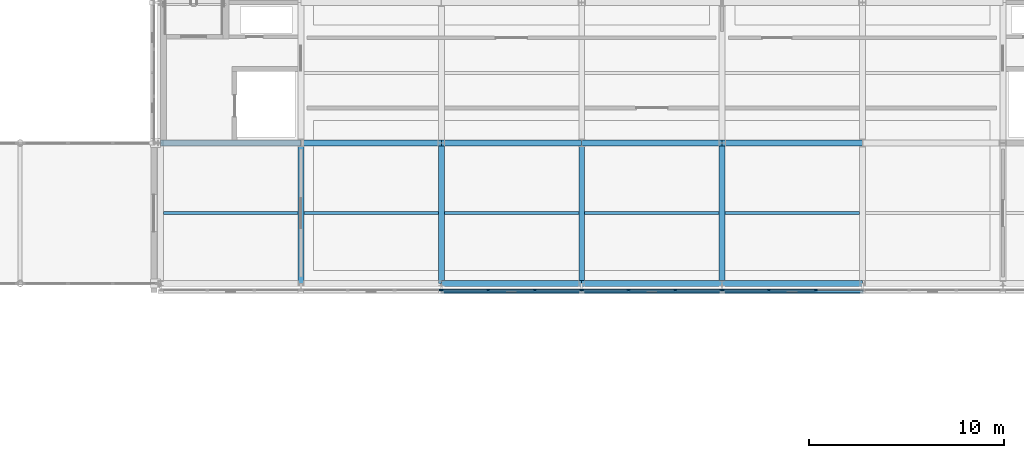
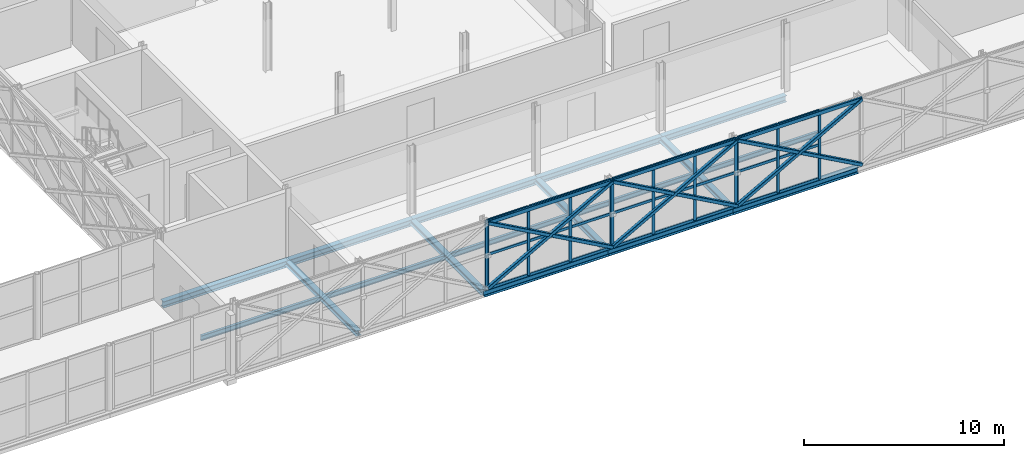
# One storey, part 53 of 103: 48 members, 17 beams, 4 elements without a shape of their own.
"""IFC4 building model written with IfcOpenShell, lengths in metres."""

from ifc_helpers import new_model, si_unit, direction, frame, origin, origin_2d, place, context, subcontext, project, spatial, rectangle, hollow_rectangle, i_section, extrude, material, material_profile, profile_set, type_object, element, aggregate, save


model = new_model("IFC4")

# Units and contexts
model_context = context("Model", 3, precision=1e-05, world=origin(), true_north=direction((0.0, 1.0)))
body_context = subcontext(model_context, "Body", "Model", "MODEL_VIEW")
ifc_project = project(units=[si_unit("LENGTHUNIT", "METRE"), si_unit("AREAUNIT", "SQUARE_METRE"), si_unit("VOLUMEUNIT", "CUBIC_METRE"), si_unit("PLANEANGLEUNIT", "RADIAN"), si_unit("MASSUNIT", "GRAM", prefix="KILO")], contexts=[model_context])

# Site, building, storey
site_placement = place(None, origin())
site = spatial("IfcSite", under=ifc_project, at=site_placement, CompositionType="ELEMENT")
building_placement = place(site_placement, origin())
building = spatial("IfcBuilding", under=site, at=building_placement, Name="Zlatovets Crest Museum", CompositionType="ELEMENT")
storey_placement = place(building_placement, frame((0.0, 0.0, 12.89990234375)))
storey = spatial("IfcBuildingStorey", under=building, at=storey_placement, Name="L03", CompositionType="ELEMENT", Elevation=12.89990234375)

# Beams
ifc_material_1 = material(Name="Structural steel S355J2", Category="steel")
ifc_material_profile_1 = material_profile(ifc_material_1, i_section(OverallWidth=0.300048828125, OverallDepth=0.389892578125, WebThickness=0.010986328125, FlangeThickness=0.01904296875, FilletRadius=0.027099609375, at=origin_2d()), Name="HEA 400")
ifc_profile_set_1 = profile_set([ifc_material_profile_1], Name="Structural steel S355J2")
beam_type_1 = type_object("IfcBeamType", Name="Beam_B-02", PredefinedType="BEAM", material=ifc_profile_set_1)
for number, where, z_axis, x_axis, name in (
    (1, (72.0, 86.39990234375, -0.434814453125), (1.0, 0.0, 0.0), (0.0, 1.0, 0.0), "V1 L03 Primary Girder B-02"),
    (2, (79.199951171875, 86.39990234375, -0.434814453125), (1.0, 0.0, 0.0), (0.0, 1.0, 0.0), "V1 L03 Primary Girder B-02"),
):
    element("IfcBeam", number, at=place(storey_placement, frame(where, z_axis=z_axis, x_axis=x_axis)), inside=storey, type_object=beam_type_1, Name=name, PredefinedType="BEAM", context=body_context, shape_type="SweptSolid", body=[
        extrude(i_section(OverallWidth=0.300048828125, OverallDepth=0.389892578125, WebThickness=0.010986328125, FlangeThickness=0.01904296875, FilletRadius=0.027099609375, at=origin_2d()), origin(), (0.0, 0.0, 1.0), 7.199951171875),
    ])
beam_1_placement = place(storey_placement, frame((86.39990234375, 86.39990234375, -0.434814453125), z_axis=(1.0, 0.0, 0.0), x_axis=(0.0, 1.0, 0.0)))
element("IfcBeam", 3, at=beam_1_placement, inside=storey, type_object=beam_type_1, Name="V1 L03 Primary Girder B-02", PredefinedType="BEAM", context=body_context, shape_type="SweptSolid", body=[
    extrude(i_section(OverallWidth=0.300048828125, OverallDepth=0.389892578125, WebThickness=0.010986328125, FlangeThickness=0.01904296875, FilletRadius=0.027099609375, at=origin_2d()), origin(), (0.0, 0.0, 1.0), 7.2001953125),
])
for number, where, z_axis, x_axis, name in (
    (4, (57.60009765625, 93.60009765625, -0.434814453125), (1.0, 0.0, 0.0), (0.0, 1.0, 0.0), "V1 L03 Primary Girder B-02"),
    (5, (64.800048828125, 93.60009765625, -0.434814453125), (1.0, 0.0, 0.0), (0.0, 1.0, 0.0), "V1 L03 Primary Girder B-02"),
    (6, (72.0, 93.60009765625, -0.434814453125), (1.0, 0.0, 0.0), (0.0, 1.0, 0.0), "V1 L03 Primary Girder B-02"),
    (7, (79.199951171875, 93.60009765625, -0.434814453125), (1.0, 0.0, 0.0), (0.0, 1.0, 0.0), "V1 L03 Primary Girder B-02"),
):
    element("IfcBeam", number, at=place(storey_placement, frame(where, z_axis=z_axis, x_axis=x_axis)), inside=storey, type_object=beam_type_1, Name=name, PredefinedType="BEAM", context=body_context, shape_type="SweptSolid", body=[
        extrude(i_section(OverallWidth=0.300048828125, OverallDepth=0.389892578125, WebThickness=0.010986328125, FlangeThickness=0.01904296875, FilletRadius=0.027099609375, at=origin_2d()), origin(), (0.0, 0.0, 1.0), 7.199951171875),
    ])
beam_2_placement = place(storey_placement, frame((86.39990234375, 93.60009765625, -0.434814453125), z_axis=(1.0, 0.0, 0.0), x_axis=(0.0, 1.0, 0.0)))
element("IfcBeam", 8, at=beam_2_placement, inside=storey, type_object=beam_type_1, Name="V1 L03 Primary Girder B-02", PredefinedType="BEAM", context=body_context, shape_type="SweptSolid", body=[
    extrude(i_section(OverallWidth=0.300048828125, OverallDepth=0.389892578125, WebThickness=0.010986328125, FlangeThickness=0.01904296875, FilletRadius=0.027099609375, at=origin_2d()), origin(), (0.0, 0.0, 1.0), 7.2001953125),
])
ifc_material_profile_2 = material_profile(ifc_material_1, i_section(OverallWidth=0.300048828125, OverallDepth=0.31005859375, WebThickness=0.009033203125, FlangeThickness=0.015380859375, FilletRadius=0.027099609375, at=origin_2d()), Name="HEA 320")
ifc_profile_set_2 = profile_set([ifc_material_profile_2], Name="Structural steel S355J2")
beam_type_2 = type_object("IfcBeamType", Name="Beam_B-04", PredefinedType="BEAM", material=ifc_profile_set_2)
for number, where, z_axis, x_axis, name in (
    (9, (64.800048828125, 86.39990234375, -0.39501953125), (0.0, 1.0, 0.0), (-1.0, 0.0, 0.0), "V1 L03 Grid Beam B-04"),
    (10, (72.0, 86.39990234375, -0.39501953125), (0.0, 1.0, 0.0), (-1.0, 0.0, 0.0), "V1 L03 Grid Beam B-04"),
    (11, (79.199951171875, 86.39990234375, -0.39501953125), (0.0, 1.0, 0.0), (-1.0, 0.0, 0.0), "V1 L03 Grid Beam B-04"),
    (12, (86.39990234375, 86.39990234375, -0.39501953125), (0.0, 1.0, 0.0), (-1.0, 0.0, 0.0), "V1 L03 Grid Beam B-04"),
):
    element("IfcBeam", number, at=place(storey_placement, frame(where, z_axis=z_axis, x_axis=x_axis)), inside=storey, type_object=beam_type_2, Name=name, PredefinedType="BEAM", context=body_context, shape_type="SweptSolid", body=[
        extrude(i_section(OverallWidth=0.300048828125, OverallDepth=0.31005859375, WebThickness=0.009033203125, FlangeThickness=0.015380859375, FilletRadius=0.027099609375, at=origin_2d()), origin(), (0.0, 0.0, 1.0), 7.2001953125),
    ])
ifc_material_profile_3 = material_profile(ifc_material_1, i_section(OverallWidth=0.14990234375, OverallDepth=0.300048828125, WebThickness=0.007080078125, FlangeThickness=0.0107421875, FilletRadius=0.014892578125, at=origin_2d()), Name="IPE 300")
ifc_profile_set_3 = profile_set([ifc_material_profile_3], Name="Structural steel S355J2")
beam_type_3 = type_object("IfcBeamType", Name="Beam_J-02", PredefinedType="JOIST", material=ifc_profile_set_3)
beam_3_placement = place(storey_placement, frame((57.75, 90.0, -0.389892578125), z_axis=(1.0, 0.0, 0.0), x_axis=(0.0, 1.0, 0.0)))
element("IfcBeam", 13, at=beam_3_placement, inside=storey, type_object=beam_type_3, Name="V1 L03 Composite Joist J-02", PredefinedType="JOIST", context=body_context, shape_type="SweptSolid", body=[
    extrude(i_section(OverallWidth=0.14990234375, OverallDepth=0.300048828125, WebThickness=0.007080078125, FlangeThickness=0.0107421875, FilletRadius=0.014892578125, at=origin_2d()), origin(), (0.0, 0.0, 1.0), 6.89990234375),
])
for number, where, z_axis, x_axis, name in (
    (14, (64.949951171875, 90.0, -0.389892578125), (1.0, 0.0, 0.0), (0.0, 1.0, 0.0), "V1 L03 Composite Joist J-02"),
    (15, (72.14990234375, 90.0, -0.389892578125), (1.0, 0.0, 0.0), (0.0, 1.0, 0.0), "V1 L03 Composite Joist J-02"),
):
    element("IfcBeam", number, at=place(storey_placement, frame(where, z_axis=z_axis, x_axis=x_axis)), inside=storey, type_object=beam_type_3, Name=name, PredefinedType="JOIST", context=body_context, shape_type="SweptSolid", body=[
        extrude(i_section(OverallWidth=0.14990234375, OverallDepth=0.300048828125, WebThickness=0.007080078125, FlangeThickness=0.0107421875, FilletRadius=0.014892578125, at=origin_2d()), origin(), (0.0, 0.0, 1.0), 6.900146484375),
    ])
for number, where, z_axis, x_axis, name in (
    (16, (79.35009765625, 90.0, -0.389892578125), (1.0, 0.0, 0.0), (0.0, 1.0, 0.0), "V1 L03 Composite Joist J-02"),
    (17, (86.550048828125, 90.0, -0.389892578125), (1.0, 0.0, 0.0), (0.0, 1.0, 0.0), "V1 L03 Composite Joist J-02"),
):
    element("IfcBeam", number, at=place(storey_placement, frame(where, z_axis=z_axis, x_axis=x_axis)), inside=storey, type_object=beam_type_3, Name=name, PredefinedType="JOIST", context=body_context, shape_type="SweptSolid", body=[
        extrude(i_section(OverallWidth=0.14990234375, OverallDepth=0.300048828125, WebThickness=0.007080078125, FlangeThickness=0.0107421875, FilletRadius=0.014892578125, at=origin_2d()), origin(), (0.0, 0.0, 1.0), 6.89990234375),
    ])

# Curtain wall, member
ifc_material_2 = material(Name="Bronze-anodised aluminium and low-E triple glass", Category="aluminium")
curtain_wall_type_1 = type_object("IfcCurtainWallType", Name="CW_CW-V1-L03-M1", PredefinedType="NOTDEFINED", material=ifc_material_2)
curtain_wall_1_placement = place(storey_placement, origin())
curtain_wall_1 = element("IfcCurtainWall", 18, at=curtain_wall_1_placement, inside=storey, type_object=curtain_wall_type_1, Name="V1 L03 Secession Foyer Clear Curtain Wall", PredefinedType="NOTDEFINED")
ifc_material_3 = material(Name="Bronze-anodised aluminium EN AW-6060", Category="aluminium")
ifc_material_profile_4 = material_profile(ifc_material_3, rectangle(XDim=0.080078125, YDim=0.159912109375, at=origin_2d()), Name="ALU 80x160")
ifc_profile_set_4 = profile_set([ifc_material_profile_4], Name="Bronze-anodised aluminium EN AW-6060")
member_type_1 = type_object("IfcMemberType", Name="CWMull_M1", PredefinedType="MULLION", material=ifc_profile_set_4)
member_1_placement = place(storey_placement, frame((71.969970703125, 86.06005859375, 0.0), z_axis=(0.0, 0.0, 1.0), x_axis=(0.0, 1.0, 0.0)))
member_1 = element("IfcMember", 19, at=member_1_placement, type_object=member_type_1, Name="CW-V1-L03-M1 mullion 4", PredefinedType="MULLION", context=body_context, shape_type="SweptSolid", body=[
    extrude(rectangle(XDim=0.080078125, YDim=0.159912109375, at=origin_2d()), origin(), (0.0, 0.0, 1.0), 4.2001953125),
])
aggregate(curtain_wall_1, [member_1])

# Curtain wall, members
curtain_wall_type_2 = type_object("IfcCurtainWallType", Name="CW_CW-V1-L03-M2", PredefinedType="NOTDEFINED", material=ifc_material_2)
curtain_wall_2_placement = place(storey_placement, origin())
curtain_wall_2 = element("IfcCurtainWall", 20, at=curtain_wall_2_placement, inside=storey, type_object=curtain_wall_type_2, Name="V1 L03 Secession Foyer Clear Curtain Wall", PredefinedType="NOTDEFINED")
member_2_placement = place(storey_placement, frame((72.030029296875, 86.06005859375, 0.0), z_axis=(0.0, 0.0, 1.0), x_axis=(0.0, 1.0, 0.0)))
member_2 = element("IfcMember", 21, at=member_2_placement, type_object=member_type_1, Name="CW-V1-L03-M2 mullion 1", PredefinedType="MULLION", context=body_context, shape_type="SweptSolid", body=[
    extrude(rectangle(XDim=0.080078125, YDim=0.159912109375, at=origin_2d()), origin(), (0.0, 0.0, 1.0), 4.2001953125),
])
member_3_placement = place(storey_placement, frame((74.39990234375, 86.06005859375, 0.0), z_axis=(0.0, 0.0, 1.0), x_axis=(0.0, 1.0, 0.0)))
member_3 = element("IfcMember", 22, at=member_3_placement, type_object=member_type_1, Name="CW-V1-L03-M2 mullion 2", PredefinedType="MULLION", context=body_context, shape_type="SweptSolid", body=[
    extrude(rectangle(XDim=0.080078125, YDim=0.159912109375, at=origin_2d()), origin(), (0.0, 0.0, 1.0), 4.2001953125),
])
member_4_placement = place(storey_placement, frame((76.800048828125, 86.06005859375, 0.0), z_axis=(0.0, 0.0, 1.0), x_axis=(0.0, 1.0, 0.0)))
member_4 = element("IfcMember", 23, at=member_4_placement, type_object=member_type_1, Name="CW-V1-L03-M2 mullion 3", PredefinedType="MULLION", context=body_context, shape_type="SweptSolid", body=[
    extrude(rectangle(XDim=0.080078125, YDim=0.159912109375, at=origin_2d()), origin(), (0.0, 0.0, 1.0), 4.2001953125),
])
member_5_placement = place(storey_placement, frame((79.169921875, 86.06005859375, 0.0), z_axis=(0.0, 0.0, 1.0), x_axis=(0.0, 1.0, 0.0)))
member_5 = element("IfcMember", 24, at=member_5_placement, type_object=member_type_1, Name="CW-V1-L03-M2 mullion 4", PredefinedType="MULLION", context=body_context, shape_type="SweptSolid", body=[
    extrude(rectangle(XDim=0.080078125, YDim=0.159912109375, at=origin_2d()), origin(), (0.0, 0.0, 1.0), 4.2001953125),
])

curtain_wall_type_3 = type_object("IfcCurtainWallType", Name="CW_CW-V1-L03-M3", PredefinedType="NOTDEFINED", material=ifc_material_2)
curtain_wall_3_placement = place(storey_placement, origin())
curtain_wall_3 = element("IfcCurtainWall", 25, at=curtain_wall_3_placement, inside=storey, type_object=curtain_wall_type_3, Name="V1 L03 Secession Foyer Clear Curtain Wall", PredefinedType="NOTDEFINED")
member_6_placement = place(storey_placement, frame((79.22998046875, 86.06005859375, 0.0), z_axis=(0.0, 0.0, 1.0), x_axis=(0.0, 1.0, 0.0)))
member_6 = element("IfcMember", 26, at=member_6_placement, type_object=member_type_1, Name="CW-V1-L03-M3 mullion 1", PredefinedType="MULLION", context=body_context, shape_type="SweptSolid", body=[
    extrude(rectangle(XDim=0.080078125, YDim=0.159912109375, at=origin_2d()), origin(), (0.0, 0.0, 1.0), 4.2001953125),
])
member_7_placement = place(storey_placement, frame((81.60009765625, 86.06005859375, 0.0), z_axis=(0.0, 0.0, 1.0), x_axis=(0.0, 1.0, 0.0)))
member_7 = element("IfcMember", 27, at=member_7_placement, type_object=member_type_1, Name="CW-V1-L03-M3 mullion 2", PredefinedType="MULLION", context=body_context, shape_type="SweptSolid", body=[
    extrude(rectangle(XDim=0.080078125, YDim=0.159912109375, at=origin_2d()), origin(), (0.0, 0.0, 1.0), 4.2001953125),
])
member_8_placement = place(storey_placement, frame((84.0, 86.06005859375, 0.0), z_axis=(0.0, 0.0, 1.0), x_axis=(0.0, 1.0, 0.0)))
member_8 = element("IfcMember", 28, at=member_8_placement, type_object=member_type_1, Name="CW-V1-L03-M3 mullion 3", PredefinedType="MULLION", context=body_context, shape_type="SweptSolid", body=[
    extrude(rectangle(XDim=0.080078125, YDim=0.159912109375, at=origin_2d()), origin(), (0.0, 0.0, 1.0), 4.2001953125),
])
member_9_placement = place(storey_placement, frame((86.3701171875, 86.06005859375, 0.0), z_axis=(0.0, 0.0, 1.0), x_axis=(0.0, 1.0, 0.0)))
member_9 = element("IfcMember", 29, at=member_9_placement, type_object=member_type_1, Name="CW-V1-L03-M3 mullion 4", PredefinedType="MULLION", context=body_context, shape_type="SweptSolid", body=[
    extrude(rectangle(XDim=0.080078125, YDim=0.159912109375, at=origin_2d()), origin(), (0.0, 0.0, 1.0), 4.2001953125),
])

curtain_wall_type_4 = type_object("IfcCurtainWallType", Name="CW_CW-V1-L03-M0", PredefinedType="NOTDEFINED", material=ifc_material_2)
curtain_wall_4_placement = place(storey_placement, origin())
curtain_wall_4 = element("IfcCurtainWall", 30, at=curtain_wall_4_placement, inside=storey, type_object=curtain_wall_type_4, Name="V1 L03 Secession Foyer Clear Curtain Wall", PredefinedType="NOTDEFINED")
member_10_placement = place(storey_placement, frame((86.429931640625, 86.06005859375, 0.0), z_axis=(0.0, 0.0, 1.0), x_axis=(0.0, 1.0, 0.0)))
member_10 = element("IfcMember", 31, at=member_10_placement, type_object=member_type_1, Name="CW-V1-L03-M0 mullion 1", PredefinedType="MULLION", context=body_context, shape_type="SweptSolid", body=[
    extrude(rectangle(XDim=0.080078125, YDim=0.159912109375, at=origin_2d()), origin(), (0.0, 0.0, 1.0), 4.2001953125),
])
member_11_placement = place(storey_placement, frame((88.800048828125, 86.06005859375, 0.0), z_axis=(0.0, 0.0, 1.0), x_axis=(0.0, 1.0, 0.0)))
member_11 = element("IfcMember", 32, at=member_11_placement, type_object=member_type_1, Name="CW-V1-L03-M0 mullion 2", PredefinedType="MULLION", context=body_context, shape_type="SweptSolid", body=[
    extrude(rectangle(XDim=0.080078125, YDim=0.159912109375, at=origin_2d()), origin(), (0.0, 0.0, 1.0), 4.2001953125),
])
member_12_placement = place(storey_placement, frame((91.199951171875, 86.06005859375, 0.0), z_axis=(0.0, 0.0, 1.0), x_axis=(0.0, 1.0, 0.0)))
member_12 = element("IfcMember", 33, at=member_12_placement, type_object=member_type_1, Name="CW-V1-L03-M0 mullion 3", PredefinedType="MULLION", context=body_context, shape_type="SweptSolid", body=[
    extrude(rectangle(XDim=0.080078125, YDim=0.159912109375, at=origin_2d()), origin(), (0.0, 0.0, 1.0), 4.2001953125),
])

# Member
ifc_material_profile_5 = material_profile(ifc_material_3, rectangle(XDim=0.080078125, YDim=0.159912109375, at=origin_2d()), Name="ALU 80x160")
ifc_profile_set_5 = profile_set([ifc_material_profile_5], Name="Bronze-anodised aluminium EN AW-6060")
member_type_2 = type_object("IfcMemberType", Name="CWTrans_T1", PredefinedType="USERDEFINED", material=ifc_profile_set_5)
member_13_placement = place(storey_placement, frame((72.06005859375, 86.06005859375, 0.030029296875), z_axis=(1.0, 0.0, 0.0), x_axis=(0.0, 1.0, 0.0)))
member_13 = element("IfcMember", 34, at=member_13_placement, type_object=member_type_2, Name="CW-V1-L03-M2 transom 1.1", ObjectType="TRANSOM", PredefinedType="USERDEFINED", context=body_context, shape_type="SweptSolid", body=[
    extrude(rectangle(XDim=0.080078125, YDim=0.159912109375, at=origin_2d()), origin(), (0.0, 0.0, 1.0), 2.31005859375),
])

member_14_placement = place(storey_placement, frame((72.06005859375, 86.06005859375, 2.10009765625), z_axis=(1.0, 0.0, 0.0), x_axis=(0.0, 1.0, 0.0)))
member_14 = element("IfcMember", 35, at=member_14_placement, type_object=member_type_2, Name="CW-V1-L03-M2 transom 1.2", ObjectType="TRANSOM", PredefinedType="USERDEFINED", context=body_context, shape_type="SweptSolid", body=[
    extrude(rectangle(XDim=0.080078125, YDim=0.159912109375, at=origin_2d()), origin(), (0.0, 0.0, 1.0), 2.31005859375),
])

member_15_placement = place(storey_placement, frame((72.06005859375, 86.06005859375, 4.170166015625), z_axis=(1.0, 0.0, 0.0), x_axis=(0.0, 1.0, 0.0)))
member_15 = element("IfcMember", 36, at=member_15_placement, type_object=member_type_2, Name="CW-V1-L03-M2 transom 1.3", ObjectType="TRANSOM", PredefinedType="USERDEFINED", context=body_context, shape_type="SweptSolid", body=[
    extrude(rectangle(XDim=0.080078125, YDim=0.159912109375, at=origin_2d()), origin(), (0.0, 0.0, 1.0), 2.31005859375),
])

member_16_placement = place(storey_placement, frame((74.429931640625, 86.06005859375, 0.030029296875), z_axis=(1.0, 0.0, 0.0), x_axis=(0.0, 1.0, 0.0)))
member_16 = element("IfcMember", 37, at=member_16_placement, type_object=member_type_2, Name="CW-V1-L03-M2 transom 2.1", ObjectType="TRANSOM", PredefinedType="USERDEFINED", context=body_context, shape_type="SweptSolid", body=[
    extrude(rectangle(XDim=0.080078125, YDim=0.159912109375, at=origin_2d()), origin(), (0.0, 0.0, 1.0), 2.340087890625),
])

member_17_placement = place(storey_placement, frame((74.429931640625, 86.06005859375, 2.10009765625), z_axis=(1.0, 0.0, 0.0), x_axis=(0.0, 1.0, 0.0)))
member_17 = element("IfcMember", 38, at=member_17_placement, type_object=member_type_2, Name="CW-V1-L03-M2 transom 2.2", ObjectType="TRANSOM", PredefinedType="USERDEFINED", context=body_context, shape_type="SweptSolid", body=[
    extrude(rectangle(XDim=0.080078125, YDim=0.159912109375, at=origin_2d()), origin(), (0.0, 0.0, 1.0), 2.340087890625),
])

member_18_placement = place(storey_placement, frame((74.429931640625, 86.06005859375, 4.170166015625), z_axis=(1.0, 0.0, 0.0), x_axis=(0.0, 1.0, 0.0)))
member_18 = element("IfcMember", 39, at=member_18_placement, type_object=member_type_2, Name="CW-V1-L03-M2 transom 2.3", ObjectType="TRANSOM", PredefinedType="USERDEFINED", context=body_context, shape_type="SweptSolid", body=[
    extrude(rectangle(XDim=0.080078125, YDim=0.159912109375, at=origin_2d()), origin(), (0.0, 0.0, 1.0), 2.340087890625),
])

member_19_placement = place(storey_placement, frame((76.830078125, 86.06005859375, 0.030029296875), z_axis=(1.0, 0.0, 0.0), x_axis=(0.0, 1.0, 0.0)))
member_19 = element("IfcMember", 40, at=member_19_placement, type_object=member_type_2, Name="CW-V1-L03-M2 transom 3.1", ObjectType="TRANSOM", PredefinedType="USERDEFINED", context=body_context, shape_type="SweptSolid", body=[
    extrude(rectangle(XDim=0.080078125, YDim=0.159912109375, at=origin_2d()), origin(), (0.0, 0.0, 1.0), 2.309814453125),
])

member_20_placement = place(storey_placement, frame((76.830078125, 86.06005859375, 2.10009765625), z_axis=(1.0, 0.0, 0.0), x_axis=(0.0, 1.0, 0.0)))
member_20 = element("IfcMember", 41, at=member_20_placement, type_object=member_type_2, Name="CW-V1-L03-M2 transom 3.2", ObjectType="TRANSOM", PredefinedType="USERDEFINED", context=body_context, shape_type="SweptSolid", body=[
    extrude(rectangle(XDim=0.080078125, YDim=0.159912109375, at=origin_2d()), origin(), (0.0, 0.0, 1.0), 2.309814453125),
])

member_21_placement = place(storey_placement, frame((76.830078125, 86.06005859375, 4.170166015625), z_axis=(1.0, 0.0, 0.0), x_axis=(0.0, 1.0, 0.0)))
member_21 = element("IfcMember", 42, at=member_21_placement, type_object=member_type_2, Name="CW-V1-L03-M2 transom 3.3", ObjectType="TRANSOM", PredefinedType="USERDEFINED", context=body_context, shape_type="SweptSolid", body=[
    extrude(rectangle(XDim=0.080078125, YDim=0.159912109375, at=origin_2d()), origin(), (0.0, 0.0, 1.0), 2.309814453125),
])

aggregate(curtain_wall_2, [member_2, member_3, member_4, member_5, member_13, member_14, member_15, member_16, member_17, member_18, member_19, member_20, member_21])

member_22_placement = place(storey_placement, frame((79.260009765625, 86.06005859375, 0.030029296875), z_axis=(1.0, 0.0, 0.0), x_axis=(0.0, 1.0, 0.0)))
member_22 = element("IfcMember", 43, at=member_22_placement, type_object=member_type_2, Name="CW-V1-L03-M3 transom 1.1", ObjectType="TRANSOM", PredefinedType="USERDEFINED", context=body_context, shape_type="SweptSolid", body=[
    extrude(rectangle(XDim=0.080078125, YDim=0.159912109375, at=origin_2d()), origin(), (0.0, 0.0, 1.0), 2.31005859375),
])

member_23_placement = place(storey_placement, frame((79.260009765625, 86.06005859375, 2.10009765625), z_axis=(1.0, 0.0, 0.0), x_axis=(0.0, 1.0, 0.0)))
member_23 = element("IfcMember", 44, at=member_23_placement, type_object=member_type_2, Name="CW-V1-L03-M3 transom 1.2", ObjectType="TRANSOM", PredefinedType="USERDEFINED", context=body_context, shape_type="SweptSolid", body=[
    extrude(rectangle(XDim=0.080078125, YDim=0.159912109375, at=origin_2d()), origin(), (0.0, 0.0, 1.0), 2.31005859375),
])

member_24_placement = place(storey_placement, frame((79.260009765625, 86.06005859375, 4.170166015625), z_axis=(1.0, 0.0, 0.0), x_axis=(0.0, 1.0, 0.0)))
member_24 = element("IfcMember", 45, at=member_24_placement, type_object=member_type_2, Name="CW-V1-L03-M3 transom 1.3", ObjectType="TRANSOM", PredefinedType="USERDEFINED", context=body_context, shape_type="SweptSolid", body=[
    extrude(rectangle(XDim=0.080078125, YDim=0.159912109375, at=origin_2d()), origin(), (0.0, 0.0, 1.0), 2.31005859375),
])

member_25_placement = place(storey_placement, frame((81.6298828125, 86.06005859375, 0.030029296875), z_axis=(1.0, 0.0, 0.0), x_axis=(0.0, 1.0, 0.0)))
member_25 = element("IfcMember", 46, at=member_25_placement, type_object=member_type_2, Name="CW-V1-L03-M3 transom 2.1", ObjectType="TRANSOM", PredefinedType="USERDEFINED", context=body_context, shape_type="SweptSolid", body=[
    extrude(rectangle(XDim=0.080078125, YDim=0.159912109375, at=origin_2d()), origin(), (0.0, 0.0, 1.0), 2.340087890625),
])

member_26_placement = place(storey_placement, frame((81.6298828125, 86.06005859375, 2.10009765625), z_axis=(1.0, 0.0, 0.0), x_axis=(0.0, 1.0, 0.0)))
member_26 = element("IfcMember", 47, at=member_26_placement, type_object=member_type_2, Name="CW-V1-L03-M3 transom 2.2", ObjectType="TRANSOM", PredefinedType="USERDEFINED", context=body_context, shape_type="SweptSolid", body=[
    extrude(rectangle(XDim=0.080078125, YDim=0.159912109375, at=origin_2d()), origin(), (0.0, 0.0, 1.0), 2.340087890625),
])

member_27_placement = place(storey_placement, frame((81.6298828125, 86.06005859375, 4.170166015625), z_axis=(1.0, 0.0, 0.0), x_axis=(0.0, 1.0, 0.0)))
member_27 = element("IfcMember", 48, at=member_27_placement, type_object=member_type_2, Name="CW-V1-L03-M3 transom 2.3", ObjectType="TRANSOM", PredefinedType="USERDEFINED", context=body_context, shape_type="SweptSolid", body=[
    extrude(rectangle(XDim=0.080078125, YDim=0.159912109375, at=origin_2d()), origin(), (0.0, 0.0, 1.0), 2.340087890625),
])

member_28_placement = place(storey_placement, frame((84.030029296875, 86.06005859375, 0.030029296875), z_axis=(1.0, 0.0, 0.0), x_axis=(0.0, 1.0, 0.0)))
member_28 = element("IfcMember", 49, at=member_28_placement, type_object=member_type_2, Name="CW-V1-L03-M3 transom 3.1", ObjectType="TRANSOM", PredefinedType="USERDEFINED", context=body_context, shape_type="SweptSolid", body=[
    extrude(rectangle(XDim=0.080078125, YDim=0.159912109375, at=origin_2d()), origin(), (0.0, 0.0, 1.0), 2.31005859375),
])

member_29_placement = place(storey_placement, frame((84.030029296875, 86.06005859375, 2.10009765625), z_axis=(1.0, 0.0, 0.0), x_axis=(0.0, 1.0, 0.0)))
member_29 = element("IfcMember", 50, at=member_29_placement, type_object=member_type_2, Name="CW-V1-L03-M3 transom 3.2", ObjectType="TRANSOM", PredefinedType="USERDEFINED", context=body_context, shape_type="SweptSolid", body=[
    extrude(rectangle(XDim=0.080078125, YDim=0.159912109375, at=origin_2d()), origin(), (0.0, 0.0, 1.0), 2.31005859375),
])

member_30_placement = place(storey_placement, frame((84.030029296875, 86.06005859375, 4.170166015625), z_axis=(1.0, 0.0, 0.0), x_axis=(0.0, 1.0, 0.0)))
member_30 = element("IfcMember", 51, at=member_30_placement, type_object=member_type_2, Name="CW-V1-L03-M3 transom 3.3", ObjectType="TRANSOM", PredefinedType="USERDEFINED", context=body_context, shape_type="SweptSolid", body=[
    extrude(rectangle(XDim=0.080078125, YDim=0.159912109375, at=origin_2d()), origin(), (0.0, 0.0, 1.0), 2.31005859375),
])

aggregate(curtain_wall_3, [member_6, member_7, member_8, member_9, member_22, member_23, member_24, member_25, member_26, member_27, member_28, member_29, member_30])

member_31_placement = place(storey_placement, frame((86.4599609375, 86.06005859375, 0.030029296875), z_axis=(1.0, 0.0, 0.0), x_axis=(0.0, 1.0, 0.0)))
member_31 = element("IfcMember", 52, at=member_31_placement, type_object=member_type_2, Name="CW-V1-L03-M0 transom 1.1", ObjectType="TRANSOM", PredefinedType="USERDEFINED", context=body_context, shape_type="SweptSolid", body=[
    extrude(rectangle(XDim=0.080078125, YDim=0.159912109375, at=origin_2d()), origin(), (0.0, 0.0, 1.0), 2.31005859375),
])

member_32_placement = place(storey_placement, frame((86.4599609375, 86.06005859375, 2.10009765625), z_axis=(1.0, 0.0, 0.0), x_axis=(0.0, 1.0, 0.0)))
member_32 = element("IfcMember", 53, at=member_32_placement, type_object=member_type_2, Name="CW-V1-L03-M0 transom 1.2", ObjectType="TRANSOM", PredefinedType="USERDEFINED", context=body_context, shape_type="SweptSolid", body=[
    extrude(rectangle(XDim=0.080078125, YDim=0.159912109375, at=origin_2d()), origin(), (0.0, 0.0, 1.0), 2.31005859375),
])

member_33_placement = place(storey_placement, frame((86.4599609375, 86.06005859375, 4.170166015625), z_axis=(1.0, 0.0, 0.0), x_axis=(0.0, 1.0, 0.0)))
member_33 = element("IfcMember", 54, at=member_33_placement, type_object=member_type_2, Name="CW-V1-L03-M0 transom 1.3", ObjectType="TRANSOM", PredefinedType="USERDEFINED", context=body_context, shape_type="SweptSolid", body=[
    extrude(rectangle(XDim=0.080078125, YDim=0.159912109375, at=origin_2d()), origin(), (0.0, 0.0, 1.0), 2.31005859375),
])

member_34_placement = place(storey_placement, frame((88.830078125, 86.06005859375, 0.030029296875), z_axis=(1.0, 0.0, 0.0), x_axis=(0.0, 1.0, 0.0)))
member_34 = element("IfcMember", 55, at=member_34_placement, type_object=member_type_2, Name="CW-V1-L03-M0 transom 2.1", ObjectType="TRANSOM", PredefinedType="USERDEFINED", context=body_context, shape_type="SweptSolid", body=[
    extrude(rectangle(XDim=0.080078125, YDim=0.159912109375, at=origin_2d()), origin(), (0.0, 0.0, 1.0), 2.33984375),
])

member_35_placement = place(storey_placement, frame((88.830078125, 86.06005859375, 2.10009765625), z_axis=(1.0, 0.0, 0.0), x_axis=(0.0, 1.0, 0.0)))
member_35 = element("IfcMember", 56, at=member_35_placement, type_object=member_type_2, Name="CW-V1-L03-M0 transom 2.2", ObjectType="TRANSOM", PredefinedType="USERDEFINED", context=body_context, shape_type="SweptSolid", body=[
    extrude(rectangle(XDim=0.080078125, YDim=0.159912109375, at=origin_2d()), origin(), (0.0, 0.0, 1.0), 2.33984375),
])

member_36_placement = place(storey_placement, frame((88.830078125, 86.06005859375, 4.170166015625), z_axis=(1.0, 0.0, 0.0), x_axis=(0.0, 1.0, 0.0)))
member_36 = element("IfcMember", 57, at=member_36_placement, type_object=member_type_2, Name="CW-V1-L03-M0 transom 2.3", ObjectType="TRANSOM", PredefinedType="USERDEFINED", context=body_context, shape_type="SweptSolid", body=[
    extrude(rectangle(XDim=0.080078125, YDim=0.159912109375, at=origin_2d()), origin(), (0.0, 0.0, 1.0), 2.33984375),
])

aggregate(curtain_wall_4, [member_10, member_11, member_12, member_31, member_32, member_33, member_34, member_35, member_36])

# Members
ifc_material_4 = material(Name="Weathering bronze-steel S355J2W", Category="steel")
ifc_material_profile_6 = material_profile(ifc_material_4, hollow_rectangle(XDim=0.199951171875, YDim=0.199951171875, WallThickness=0.012451171875, InnerFilletRadius=0.012451171875, OuterFilletRadius=0.02490234375, at=origin_2d()), Name="SHS 200x200x12.5")
ifc_profile_set_6 = profile_set([ifc_material_profile_6], Name="Weathering bronze-steel S355J2W")
member_type_3 = type_object("IfcMemberType", Name="Lattice_XL-02", PredefinedType="BRACE", material=ifc_profile_set_6)
member_37_placement = place(storey_placement, frame((72.0, 85.97998046875, 0.10009765625), z_axis=(0.874155877937, 0.0, 0.485645447903), x_axis=(0.0, 1.0, 0.0)))
element("IfcMember", 58, at=member_37_placement, inside=storey, type_object=member_type_3, Name="Continuous Bronze Lattice Diagonal", PredefinedType="BRACE", context=body_context, shape_type="SweptSolid", body=[
    extrude(hollow_rectangle(XDim=0.199951171875, YDim=0.199951171875, WallThickness=0.012451171875, InnerFilletRadius=0.012451171875, OuterFilletRadius=0.02490234375, at=origin_2d()), origin(), (0.0, 0.0, 1.0), 8.236572265625),
])
member_38_placement = place(storey_placement, frame((72.0, 85.97998046875, 4.10009765625), z_axis=(0.874165862873, 0.0, -0.485627474703), x_axis=(0.0, 1.0, 0.0)))
element("IfcMember", 59, at=member_38_placement, inside=storey, type_object=member_type_3, Name="Split Crossing Bronze Lattice Diagonal Upper", PredefinedType="BRACE", context=body_context, shape_type="SweptSolid", body=[
    extrude(hollow_rectangle(XDim=0.199951171875, YDim=0.199951171875, WallThickness=0.012451171875, InnerFilletRadius=0.012451171875, OuterFilletRadius=0.02490234375, at=origin_2d()), origin(), (0.0, 0.0, 1.0), 4.0234375),
])
member_39_placement = place(storey_placement, frame((75.68310546875, 85.97998046875, 2.053955078125), z_axis=(0.874151551165, 0.0, -0.485653235958), x_axis=(0.0, 1.0, 0.0)))
element("IfcMember", 60, at=member_39_placement, inside=storey, type_object=member_type_3, Name="Split Crossing Bronze Lattice Diagonal Lower", PredefinedType="BRACE", context=body_context, shape_type="SweptSolid", body=[
    extrude(hollow_rectangle(XDim=0.199951171875, YDim=0.199951171875, WallThickness=0.012451171875, InnerFilletRadius=0.012451171875, OuterFilletRadius=0.02490234375, at=origin_2d()), origin(), (0.0, 0.0, 1.0), 4.023193359375),
])
member_40_placement = place(storey_placement, frame((79.199951171875, 85.97998046875, 0.10009765625), z_axis=(0.874155877937, 0.0, 0.485645447903), x_axis=(0.0, 1.0, 0.0)))
element("IfcMember", 61, at=member_40_placement, inside=storey, type_object=member_type_3, Name="Continuous Bronze Lattice Diagonal", PredefinedType="BRACE", context=body_context, shape_type="SweptSolid", body=[
    extrude(hollow_rectangle(XDim=0.199951171875, YDim=0.199951171875, WallThickness=0.012451171875, InnerFilletRadius=0.012451171875, OuterFilletRadius=0.02490234375, at=origin_2d()), origin(), (0.0, 0.0, 1.0), 8.236572265625),
])
member_41_placement = place(storey_placement, frame((79.199951171875, 85.97998046875, 4.10009765625), z_axis=(0.874165862873, 0.0, -0.485627474703), x_axis=(0.0, 1.0, 0.0)))
element("IfcMember", 62, at=member_41_placement, inside=storey, type_object=member_type_3, Name="Split Crossing Bronze Lattice Diagonal Upper", PredefinedType="BRACE", context=body_context, shape_type="SweptSolid", body=[
    extrude(hollow_rectangle(XDim=0.199951171875, YDim=0.199951171875, WallThickness=0.012451171875, InnerFilletRadius=0.012451171875, OuterFilletRadius=0.02490234375, at=origin_2d()), origin(), (0.0, 0.0, 1.0), 4.0234375),
])
member_42_placement = place(storey_placement, frame((82.883056640625, 85.97998046875, 2.053955078125), z_axis=(0.874151551165, 0.0, -0.485653235958), x_axis=(0.0, 1.0, 0.0)))
element("IfcMember", 63, at=member_42_placement, inside=storey, type_object=member_type_3, Name="Split Crossing Bronze Lattice Diagonal Lower", PredefinedType="BRACE", context=body_context, shape_type="SweptSolid", body=[
    extrude(hollow_rectangle(XDim=0.199951171875, YDim=0.199951171875, WallThickness=0.012451171875, InnerFilletRadius=0.012451171875, OuterFilletRadius=0.02490234375, at=origin_2d()), origin(), (0.0, 0.0, 1.0), 4.023193359375),
])
member_43_placement = place(storey_placement, frame((86.39990234375, 85.97998046875, 0.10009765625), z_axis=(0.874162868644, 0.0, 0.485632864501), x_axis=(0.0, 1.0, 0.0)))
element("IfcMember", 64, at=member_43_placement, inside=storey, type_object=member_type_3, Name="Continuous Bronze Lattice Diagonal", PredefinedType="BRACE", context=body_context, shape_type="SweptSolid", body=[
    extrude(hollow_rectangle(XDim=0.199951171875, YDim=0.199951171875, WallThickness=0.012451171875, InnerFilletRadius=0.012451171875, OuterFilletRadius=0.02490234375, at=origin_2d()), origin(), (0.0, 0.0, 1.0), 8.236572265625),
])
for number, where, z_axis, x_axis, name in (
    (65, (86.39990234375, 85.97998046875, 4.10009765625), (0.874165862873, 0.0, -0.485627474703), (0.0, 1.0, 0.0), "Split Crossing Bronze Lattice Diagonal Upper"),
    (66, (90.0830078125, 85.97998046875, 2.053955078125), (0.874165862873, 0.0, -0.485627474703), (0.0, 1.0, 0.0), "Split Crossing Bronze Lattice Diagonal Lower"),
):
    element("IfcMember", number, at=place(storey_placement, frame(where, z_axis=z_axis, x_axis=x_axis)), inside=storey, type_object=member_type_3, Name=name, PredefinedType="BRACE", context=body_context, shape_type="SweptSolid", body=[
        extrude(hollow_rectangle(XDim=0.199951171875, YDim=0.199951171875, WallThickness=0.012451171875, InnerFilletRadius=0.012451171875, OuterFilletRadius=0.02490234375, at=origin_2d()), origin(), (0.0, 0.0, 1.0), 4.0234375),
    ])
ifc_material_profile_7 = material_profile(ifc_material_4, hollow_rectangle(XDim=0.1201171875, YDim=0.239990234375, WallThickness=0.010009765625, InnerFilletRadius=0.010009765625, OuterFilletRadius=0.02001953125, at=origin_2d()), Name="RHS 120x240x10.0")
ifc_profile_set_7 = profile_set([ifc_material_profile_7], Name="Weathering bronze-steel S355J2W")
member_type_4 = type_object("IfcMemberType", Name="Lattice_XL-04", PredefinedType="CHORD", material=ifc_profile_set_7)
for number, where, z_axis, x_axis, name in (
    (67, (72.0, 85.97998046875, 4.10009765625), (1.0, 0.0, 0.0), (0.0, 1.0, 0.0), "Art Nouveau Woven Cage Collector Ring Chord"),
    (68, (79.199951171875, 85.97998046875, 4.10009765625), (1.0, 0.0, 0.0), (0.0, 1.0, 0.0), "Art Nouveau Woven Cage Collector Ring Chord"),
):
    element("IfcMember", number, at=place(storey_placement, frame(where, z_axis=z_axis, x_axis=x_axis)), inside=storey, type_object=member_type_4, Name=name, PredefinedType="CHORD", context=body_context, shape_type="SweptSolid", body=[
        extrude(hollow_rectangle(XDim=0.1201171875, YDim=0.239990234375, WallThickness=0.010009765625, InnerFilletRadius=0.010009765625, OuterFilletRadius=0.02001953125, at=origin_2d()), origin(), (0.0, 0.0, 1.0), 7.199951171875),
    ])
member_44_placement = place(storey_placement, frame((86.39990234375, 85.97998046875, 4.10009765625), z_axis=(1.0, 0.0, 0.0), x_axis=(0.0, 1.0, 0.0)))
element("IfcMember", 69, at=member_44_placement, inside=storey, type_object=member_type_4, Name="Art Nouveau Woven Cage Collector Ring Chord", PredefinedType="CHORD", context=body_context, shape_type="SweptSolid", body=[
    extrude(hollow_rectangle(XDim=0.1201171875, YDim=0.239990234375, WallThickness=0.010009765625, InnerFilletRadius=0.010009765625, OuterFilletRadius=0.02001953125, at=origin_2d()), origin(), (0.0, 0.0, 1.0), 7.2001953125),
])

save(model, "model.ifc")
